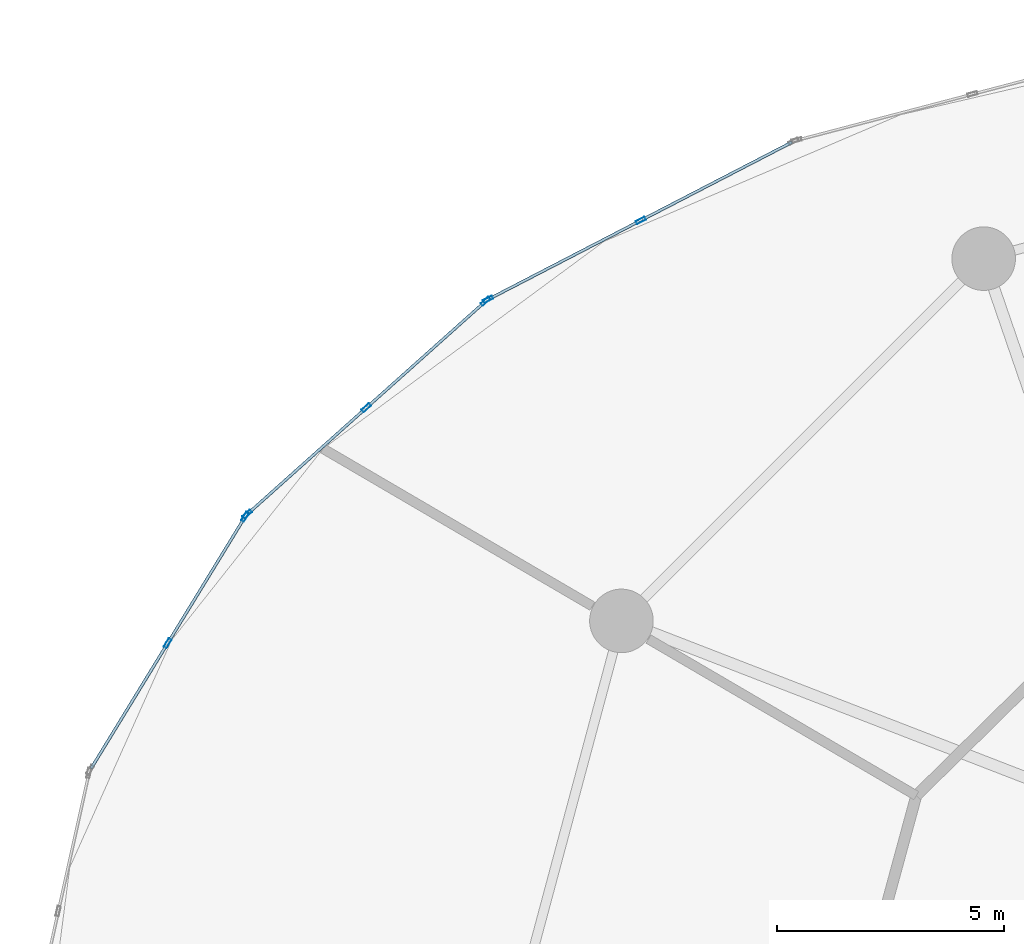
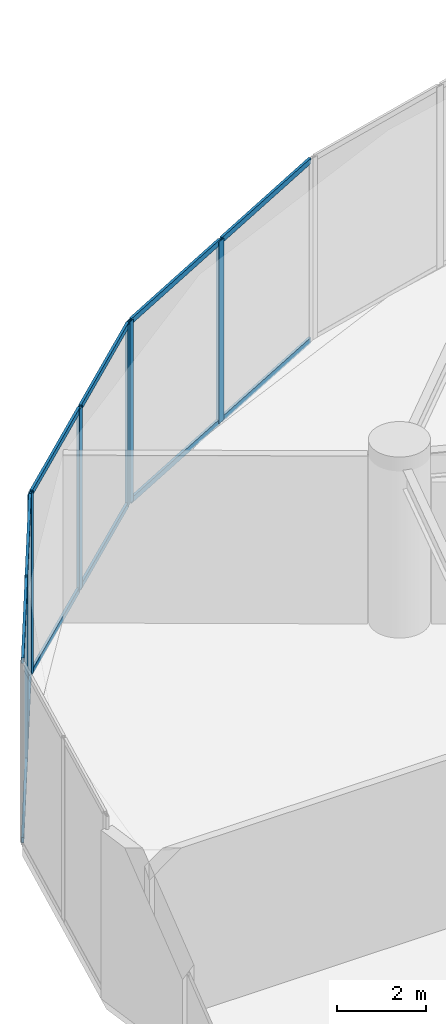
# One storey, part 16 of 31: 19 members, 3 elements without a shape of their own.
"""IFC4 building model written with IfcOpenShell, lengths in metres."""

from ifc_helpers import new_model, si_unit, direction, frame, origin, origin_2d, place, context, subcontext, project, spatial, hollow_rectangle, extrude, source, transform, mapped, material, layer, layer_set, material_profile, profile_set, type_object, element, aggregate, save


model = new_model("IFC4")

# Units and contexts
model_context = context("Model", 3, precision=1e-05, world=origin(), true_north=direction((0.0, 1.0)))
body_context = subcontext(model_context, "Body", "Model", "MODEL_VIEW")
ifc_project = project(units=[si_unit("LENGTHUNIT", "METRE"), si_unit("AREAUNIT", "SQUARE_METRE"), si_unit("VOLUMEUNIT", "CUBIC_METRE"), si_unit("PLANEANGLEUNIT", "RADIAN"), si_unit("MASSUNIT", "GRAM", prefix="KILO")], contexts=[model_context])

# Site, building, storey
site_placement = place(None, origin())
site = spatial("IfcSite", under=ifc_project, at=site_placement, CompositionType="ELEMENT")
building_placement = place(site_placement, origin())
building = spatial("IfcBuilding", under=site, at=building_placement, Name="Solvirekh Grand Hotel", CompositionType="ELEMENT")
storey_placement = place(building_placement, frame((0.0, 0.0, 18.60009765625)))
storey = spatial("IfcBuildingStorey", under=building, at=storey_placement, Name="L03", CompositionType="ELEMENT", Elevation=18.60009765625)

# Curtain wall, members
ifc_material = material(Name="Anodized Bronze Aluminium 6063-T6", Category="aluminium")
ifc_layer = layer(ifc_material, 0.219970703125)
ifc_layer_set = layer_set([ifc_layer], Name="Anodized Bronze Aluminium 6063-T6")
curtain_wall_type = type_object("IfcCurtainWallType", Name="CW_Sys1_PodiumBronzeUnitised", PredefinedType="NOTDEFINED", material=ifc_layer_set)
curtain_wall_1_placement = place(storey_placement, origin())
curtain_wall_1 = element("IfcCurtainWall", 1, at=curtain_wall_1_placement, inside=storey, type_object=curtain_wall_type, Name="L03 unitised bronze-glass curtain wall CW-L03-C11", PredefinedType="NOTDEFINED")
ifc_material_profile_1 = material_profile(ifc_material, hollow_rectangle(XDim=0.06494140625, YDim=0.14990234375, WallThickness=0.0048828125, at=origin_2d()), Name="ALU RHS 150X65X5")
ifc_profile_set_1 = profile_set([ifc_material_profile_1], Name="Anodized Bronze Aluminium 6063-T6")
member_type_1 = type_object("IfcMemberType", Name="CWTransom_Sys1", PredefinedType="USERDEFINED", material=ifc_profile_set_1)
shared_shape_1 = source(origin(), body_context, "Body", "SweptSolid", [
    extrude(hollow_rectangle(XDim=0.06494140625, YDim=0.14990234375, WallThickness=0.0048828125, at=origin_2d()), origin(), (0.0, 0.0, 1.0), 3.19384765625),
])
member_1_placement = place(storey_placement, frame((-27.188232421875, 13.162109375, 0.032470703125), z_axis=(-0.522018824244, -0.852933964111, 0.0), x_axis=(0.852933964111, -0.522018824244, 0.0)))
member_1 = element("IfcMember", 2, at=member_1_placement, type_object=member_type_1, Name="U01 transom 1.1", ObjectType="TRANSOM", PredefinedType="USERDEFINED", context=body_context, shape_type="MappedRepresentation", body=[
    mapped(shared_shape_1, transform((0.0, 0.0, 0.0), x_axis=(1.0, 0.0, 0.0), y_axis=(0.0, 1.0, 0.0), z_axis=(0.0, 0.0, 1.0), scale=1.0)),
])
member_2_placement = place(storey_placement, frame((-27.188232421875, 13.162109375, 4.96728515625), z_axis=(-0.522018824244, -0.852933964111, 0.0), x_axis=(0.852933964111, -0.522018824244, 0.0)))
member_2 = element("IfcMember", 3, at=member_2_placement, type_object=member_type_1, Name="U01 transom 1.2", ObjectType="TRANSOM", PredefinedType="USERDEFINED", context=body_context, shape_type="MappedRepresentation", body=[
    mapped(shared_shape_1, transform((0.0, 0.0, 0.0), x_axis=(1.0, 0.0, 0.0), y_axis=(0.0, 1.0, 0.0), z_axis=(0.0, 0.0, 1.0), scale=1.0)),
])
member_3_placement = place(storey_placement, frame((-28.89453125, 10.3740234375, 0.032470703125), z_axis=(-0.522018824244, -0.852933964111, 0.0), x_axis=(0.852933964111, -0.522018824244, 0.0)))
member_3 = element("IfcMember", 4, at=member_3_placement, type_object=member_type_1, Name="U01 transom 2.1", ObjectType="TRANSOM", PredefinedType="USERDEFINED", context=body_context, shape_type="MappedRepresentation", body=[
    mapped(shared_shape_1, transform((0.0, 0.0, 0.0), x_axis=(1.0, 0.0, 0.0), y_axis=(0.0, 1.0, 0.0), z_axis=(0.0, 0.0, 1.0), scale=1.0)),
])
member_4_placement = place(storey_placement, frame((-28.89453125, 10.3740234375, 4.96728515625), z_axis=(-0.522018824244, -0.852933964111, 0.0), x_axis=(0.852933964111, -0.522018824244, 0.0)))
member_4 = element("IfcMember", 5, at=member_4_placement, type_object=member_type_1, Name="U01 transom 2.2", ObjectType="TRANSOM", PredefinedType="USERDEFINED", context=body_context, shape_type="MappedRepresentation", body=[
    mapped(shared_shape_1, transform((0.0, 0.0, 0.0), x_axis=(1.0, 0.0, 0.0), y_axis=(0.0, 1.0, 0.0), z_axis=(0.0, 0.0, 1.0), scale=1.0)),
])

curtain_wall_2_placement = place(storey_placement, origin())
curtain_wall_2 = element("IfcCurtainWall", 6, at=curtain_wall_2_placement, inside=storey, type_object=curtain_wall_type, Name="L03 unitised bronze-glass curtain wall CW-L03-C09", PredefinedType="NOTDEFINED")
shared_shape_2 = source(origin(), body_context, "Body", "SweptSolid", [
    extrude(hollow_rectangle(XDim=0.06494140625, YDim=0.14990234375, WallThickness=0.0048828125, at=origin_2d()), origin(), (0.0, 0.0, 1.0), 3.710693359375),
])
member_5_placement = place(storey_placement, frame((-18.48486328125, 19.704345703125, 0.032470703125), z_axis=(-0.888075954334, -0.459696747143, 0.0), x_axis=(0.459696747143, -0.888075954334, 0.0)))
member_5 = element("IfcMember", 7, at=member_5_placement, type_object=member_type_1, Name="U01 transom 2.1", ObjectType="TRANSOM", PredefinedType="USERDEFINED", context=body_context, shape_type="MappedRepresentation", body=[
    mapped(shared_shape_2, transform((0.0, 0.0, 0.0), x_axis=(1.0, 0.0, 0.0), y_axis=(0.0, 1.0, 0.0), z_axis=(0.0, 0.0, 1.0), scale=1.0)),
])
member_6_placement = place(storey_placement, frame((-18.48486328125, 19.704345703125, 4.96728515625), z_axis=(-0.888075954334, -0.459696747143, 0.0), x_axis=(0.459696747143, -0.888075954334, 0.0)))
member_6 = element("IfcMember", 8, at=member_6_placement, type_object=member_type_1, Name="U01 transom 2.2", ObjectType="TRANSOM", PredefinedType="USERDEFINED", context=body_context, shape_type="MappedRepresentation", body=[
    mapped(shared_shape_2, transform((0.0, 0.0, 0.0), x_axis=(1.0, 0.0, 0.0), y_axis=(0.0, 1.0, 0.0), z_axis=(0.0, 0.0, 1.0), scale=1.0)),
])
shared_shape_3 = source(origin(), body_context, "Body", "SweptSolid", [
    extrude(hollow_rectangle(XDim=0.06494140625, YDim=0.14990234375, WallThickness=0.0048828125, at=origin_2d()), origin(), (0.0, 0.0, 1.0), 3.7109375),
])
member_7_placement = place(storey_placement, frame((-15.12255859375, 21.444580078125, 0.032470703125), z_axis=(-0.888089856597, -0.459669888736, 0.0), x_axis=(0.459669888736, -0.888089856597, 0.0)))
member_7 = element("IfcMember", 9, at=member_7_placement, type_object=member_type_1, Name="U01 transom 1.1", ObjectType="TRANSOM", PredefinedType="USERDEFINED", context=body_context, shape_type="MappedRepresentation", body=[
    mapped(shared_shape_3, transform((0.0, 0.0, 0.0), x_axis=(1.0, 0.0, 0.0), y_axis=(0.0, 1.0, 0.0), z_axis=(0.0, 0.0, 1.0), scale=1.0)),
])
member_8_placement = place(storey_placement, frame((-15.12255859375, 21.444580078125, 4.96728515625), z_axis=(-0.888089856597, -0.459669888736, 0.0), x_axis=(0.459669888736, -0.888089856597, 0.0)))
member_8 = element("IfcMember", 10, at=member_8_placement, type_object=member_type_1, Name="U01 transom 1.2", ObjectType="TRANSOM", PredefinedType="USERDEFINED", context=body_context, shape_type="MappedRepresentation", body=[
    mapped(shared_shape_3, transform((0.0, 0.0, 0.0), x_axis=(1.0, 0.0, 0.0), y_axis=(0.0, 1.0, 0.0), z_axis=(0.0, 0.0, 1.0), scale=1.0)),
])
ifc_material_profile_2 = material_profile(ifc_material, hollow_rectangle(XDim=0.074951171875, YDim=0.219970703125, WallThickness=0.006103515625, at=origin_2d()), Name="ALU RHS 220X75X6")
ifc_profile_set_2 = profile_set([ifc_material_profile_2], Name="Anodized Bronze Aluminium 6063-T6")
member_type_2 = type_object("IfcMemberType", Name="CWMullion_Sys1", PredefinedType="MULLION", material=ifc_profile_set_2)
shared_shape_4 = source(origin(), body_context, "Body", "SweptSolid", [
    extrude(hollow_rectangle(XDim=0.074951171875, YDim=0.219970703125, WallThickness=0.006103515625, at=origin_2d()), origin(), (0.0, 0.0, 1.0), 5.0),
])
member_9_placement = place(storey_placement, frame((-18.451416015625, 19.721435546875, 0.0), z_axis=(0.0, 0.0, 1.0), x_axis=(0.459671936443, -0.888088796713, 0.0)))
member_9 = element("IfcMember", 11, at=member_9_placement, type_object=member_type_2, Name="U01 mullion 2", PredefinedType="MULLION", context=body_context, shape_type="MappedRepresentation", body=[
    mapped(shared_shape_4, transform((0.0, 0.0, 0.0), x_axis=(1.0, 0.0, 0.0), y_axis=(0.0, 1.0, 0.0), z_axis=(0.0, 0.0, 1.0), scale=1.0)),
])
member_10_placement = place(storey_placement, frame((-21.813720703125, 17.981201171875, 0.0), z_axis=(0.0, 0.0, 1.0), x_axis=(0.459671936443, -0.888088796713, 0.0)))
member_10 = element("IfcMember", 12, at=member_10_placement, type_object=member_type_2, Name="U01 mullion 3", PredefinedType="MULLION", context=body_context, shape_type="MappedRepresentation", body=[
    mapped(shared_shape_4, transform((0.0, 0.0, 0.0), x_axis=(1.0, 0.0, 0.0), y_axis=(0.0, 1.0, 0.0), z_axis=(0.0, 0.0, 1.0), scale=1.0)),
])
aggregate(curtain_wall_2, [member_9, member_10, member_7, member_8, member_5, member_6])

curtain_wall_3_placement = place(storey_placement, origin())
curtain_wall_3 = element("IfcCurtainWall", 13, at=curtain_wall_3_placement, inside=storey, type_object=curtain_wall_type, Name="L03 unitised bronze-glass curtain wall CW-L03-C10", PredefinedType="NOTDEFINED")
member_11_placement = place(storey_placement, frame((-21.875, 17.93896484375, 0.0), z_axis=(0.0, 0.0, 1.0), x_axis=(0.66633431094, -0.745653127174, 0.0)))
member_11 = element("IfcMember", 14, at=member_11_placement, type_object=member_type_2, Name="U01 mullion 1", PredefinedType="MULLION", context=body_context, shape_type="MappedRepresentation", body=[
    mapped(shared_shape_4, transform((0.0, 0.0, 0.0), x_axis=(1.0, 0.0, 0.0), y_axis=(0.0, 1.0, 0.0), z_axis=(0.0, 0.0, 1.0), scale=1.0)),
])
member_12_placement = place(storey_placement, frame((-24.498046875, 15.594970703125, 0.0), z_axis=(0.0, 0.0, 1.0), x_axis=(0.66633431094, -0.745653127174, 0.0)))
member_12 = element("IfcMember", 15, at=member_12_placement, type_object=member_type_2, Name="U01 mullion 2", PredefinedType="MULLION", context=body_context, shape_type="MappedRepresentation", body=[
    mapped(shared_shape_4, transform((0.0, 0.0, 0.0), x_axis=(1.0, 0.0, 0.0), y_axis=(0.0, 1.0, 0.0), z_axis=(0.0, 0.0, 1.0), scale=1.0)),
])
member_13_placement = place(storey_placement, frame((-27.12109375, 13.2509765625, 0.0), z_axis=(0.0, 0.0, 1.0), x_axis=(0.66633431094, -0.745653127174, 0.0)))
member_13 = element("IfcMember", 16, at=member_13_placement, type_object=member_type_2, Name="U01 mullion 3", PredefinedType="MULLION", context=body_context, shape_type="MappedRepresentation", body=[
    mapped(shared_shape_4, transform((0.0, 0.0, 0.0), x_axis=(1.0, 0.0, 0.0), y_axis=(0.0, 1.0, 0.0), z_axis=(0.0, 0.0, 1.0), scale=1.0)),
])

# Member
member_14_placement = place(storey_placement, frame((-27.16845703125, 13.194091796875, 0.0), z_axis=(0.0, 0.0, 1.0), x_axis=(0.852922763762, -0.522037124212, 0.0)))
member_14 = element("IfcMember", 17, at=member_14_placement, type_object=member_type_2, Name="U01 mullion 1", PredefinedType="MULLION", context=body_context, shape_type="MappedRepresentation", body=[
    mapped(shared_shape_4, transform((0.0, 0.0, 0.0), x_axis=(1.0, 0.0, 0.0), y_axis=(0.0, 1.0, 0.0), z_axis=(0.0, 0.0, 1.0), scale=1.0)),
])

member_15_placement = place(storey_placement, frame((-28.875, 10.406005859375, 0.0), z_axis=(0.0, 0.0, 1.0), x_axis=(0.852922763762, -0.522037124212, 0.0)))
member_15 = element("IfcMember", 18, at=member_15_placement, type_object=member_type_2, Name="U01 mullion 2", PredefinedType="MULLION", context=body_context, shape_type="MappedRepresentation", body=[
    mapped(shared_shape_4, transform((0.0, 0.0, 0.0), x_axis=(1.0, 0.0, 0.0), y_axis=(0.0, 1.0, 0.0), z_axis=(0.0, 0.0, 1.0), scale=1.0)),
])

aggregate(curtain_wall_1, [member_14, member_15, member_1, member_2, member_3, member_4])

shared_shape_5 = source(origin(), body_context, "Body", "SweptSolid", [
    extrude(hollow_rectangle(XDim=0.06494140625, YDim=0.14990234375, WallThickness=0.0048828125, at=origin_2d()), origin(), (0.0, 0.0, 1.0), 3.44287109375),
])
member_16_placement = place(storey_placement, frame((-21.90283203125, 17.9140625, 0.032470703125), z_axis=(-0.74563436093, -0.666355310477, 0.0), x_axis=(0.666355310477, -0.74563436093, 0.0)))
member_16 = element("IfcMember", 19, at=member_16_placement, type_object=member_type_1, Name="U01 transom 1.1", ObjectType="TRANSOM", PredefinedType="USERDEFINED", context=body_context, shape_type="MappedRepresentation", body=[
    mapped(shared_shape_5, transform((0.0, 0.0, 0.0), x_axis=(1.0, 0.0, 0.0), y_axis=(0.0, 1.0, 0.0), z_axis=(0.0, 0.0, 1.0), scale=1.0)),
])

member_17_placement = place(storey_placement, frame((-21.90283203125, 17.9140625, 4.96728515625), z_axis=(-0.74563436093, -0.666355310477, 0.0), x_axis=(0.666355310477, -0.74563436093, 0.0)))
member_17 = element("IfcMember", 20, at=member_17_placement, type_object=member_type_1, Name="U01 transom 1.2", ObjectType="TRANSOM", PredefinedType="USERDEFINED", context=body_context, shape_type="MappedRepresentation", body=[
    mapped(shared_shape_5, transform((0.0, 0.0, 0.0), x_axis=(1.0, 0.0, 0.0), y_axis=(0.0, 1.0, 0.0), z_axis=(0.0, 0.0, 1.0), scale=1.0)),
])

member_18_placement = place(storey_placement, frame((-24.52587890625, 15.570068359375, 0.032470703125), z_axis=(-0.74563436093, -0.666355310477, 0.0), x_axis=(0.666355310477, -0.74563436093, 0.0)))
member_18 = element("IfcMember", 21, at=member_18_placement, type_object=member_type_1, Name="U01 transom 2.1", ObjectType="TRANSOM", PredefinedType="USERDEFINED", context=body_context, shape_type="MappedRepresentation", body=[
    mapped(shared_shape_5, transform((0.0, 0.0, 0.0), x_axis=(1.0, 0.0, 0.0), y_axis=(0.0, 1.0, 0.0), z_axis=(0.0, 0.0, 1.0), scale=1.0)),
])

member_19_placement = place(storey_placement, frame((-24.52587890625, 15.570068359375, 4.96728515625), z_axis=(-0.74563436093, -0.666355310477, 0.0), x_axis=(0.666355310477, -0.74563436093, 0.0)))
member_19 = element("IfcMember", 22, at=member_19_placement, type_object=member_type_1, Name="U01 transom 2.2", ObjectType="TRANSOM", PredefinedType="USERDEFINED", context=body_context, shape_type="MappedRepresentation", body=[
    mapped(shared_shape_5, transform((0.0, 0.0, 0.0), x_axis=(1.0, 0.0, 0.0), y_axis=(0.0, 1.0, 0.0), z_axis=(0.0, 0.0, 1.0), scale=1.0)),
])

aggregate(curtain_wall_3, [member_11, member_12, member_13, member_16, member_17, member_18, member_19])

save(model, "model.ifc")
